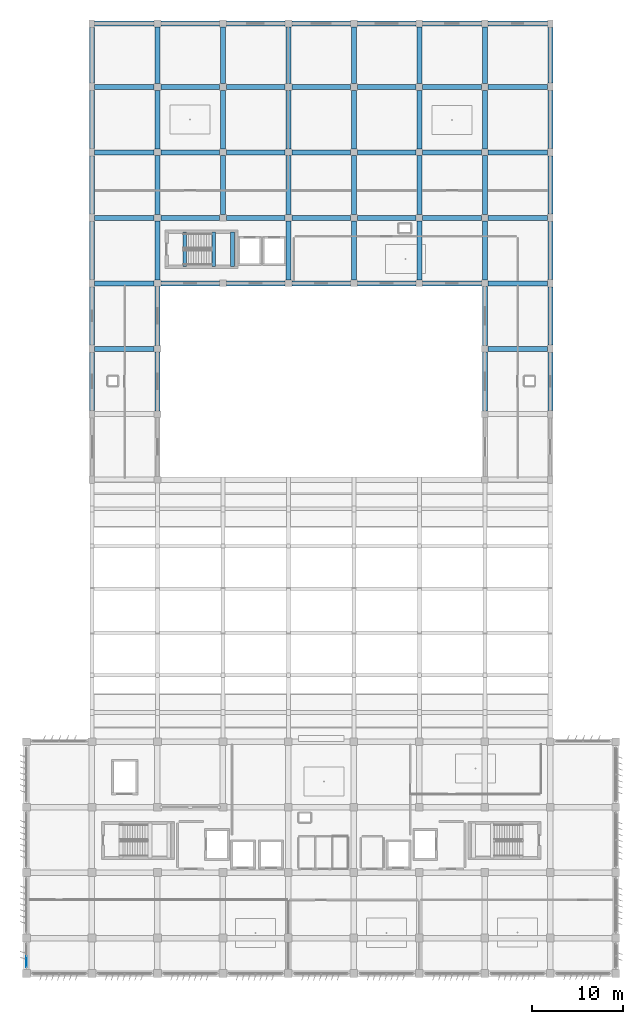
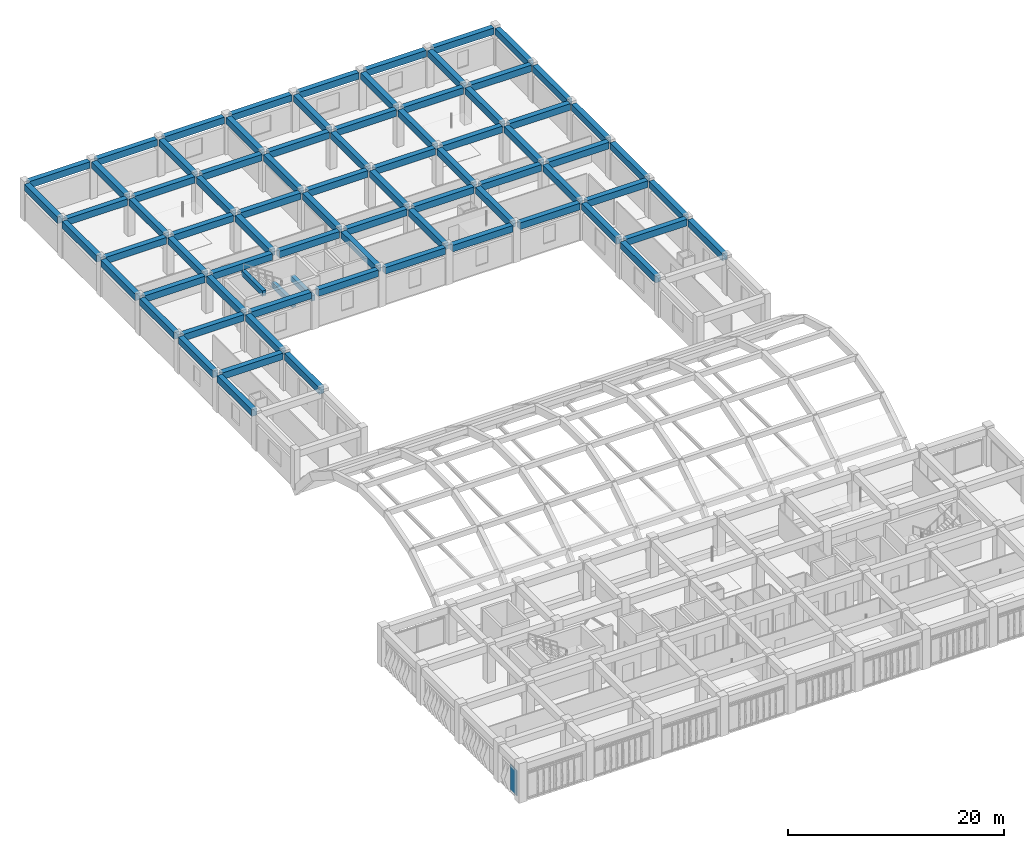
# One storey, part 24 of 48: 79 beams, 1 plate, 1 element without a shape of its own.
"""IFC4 building model written with IfcOpenShell, lengths in metres."""

from ifc_helpers import new_model, si_unit, direction, frame, origin, origin_2d, place, context, subcontext, project, spatial, rectangle, extrude, material, layer, layer_set, material_profile, profile_set, type_object, element, aggregate, save


model = new_model("IFC4")

# Units and contexts
model_context = context("Model", 3, precision=1e-05, world=origin(), true_north=direction((0.0, 1.0)))
body_context = subcontext(model_context, "Body", "Model", "MODEL_VIEW")
ifc_project = project(units=[si_unit("LENGTHUNIT", "METRE"), si_unit("AREAUNIT", "SQUARE_METRE"), si_unit("VOLUMEUNIT", "CUBIC_METRE"), si_unit("PLANEANGLEUNIT", "RADIAN"), si_unit("MASSUNIT", "GRAM", prefix="KILO")], contexts=[model_context])

# Site, building, storey
site_placement = place(None, origin())
site = spatial("IfcSite", under=ifc_project, at=site_placement, CompositionType="ELEMENT")
building_placement = place(site_placement, origin())
building = spatial("IfcBuilding", under=site, at=building_placement, Name="Kazehaya Institute of Natural Sciences", CompositionType="ELEMENT")
storey_placement = place(building_placement, frame((0.0, 0.0, 19.800048828125)))
storey = spatial("IfcBuildingStorey", under=building, at=storey_placement, Name="L04", CompositionType="ELEMENT", Elevation=19.800048828125)

# Beams
ifc_material_1 = material(Name="Concrete Fc36", Category="concrete")
ifc_material_profile_1 = material_profile(ifc_material_1, rectangle(XDim=0.39990234375, YDim=0.60009765625, at=origin_2d()), Name="RC-400x600")
ifc_profile_set_1 = profile_set([ifc_material_profile_1], Name="Concrete Fc36")
beam_type_1 = type_object("IfcBeamType", Name="BM-B-400x600", PredefinedType="BEAM", material=ifc_profile_set_1)
for number, where, z_axis, x_axis, name in (
    (1, (72.0, 87.820068359375, 4.199951171875), (0.0, 1.0, 0.0), (-1.0, 0.0, 0.0), "L05 ST-3 stair header trimmer beam"),
    (2, (75.18994140625, 87.820068359375, 1.7900390625), (0.0, 1.0, 0.0), (-1.0, 0.0, 0.0), "L04 ST-3 landing beam 1"),
    (3, (77.25, 87.820068359375, 1.7900390625), (0.0, 1.0, 0.0), (-1.0, 0.0, 0.0), "L04 ST-3 landing beam 2"),
):
    element("IfcBeam", number, at=place(storey_placement, frame(where, z_axis=z_axis, x_axis=x_axis)), inside=storey, type_object=beam_type_1, Name=name, PredefinedType="BEAM", context=body_context, shape_type="SweptSolid", body=[
        extrude(rectangle(XDim=0.39990234375, YDim=0.60009765625, at=origin_2d()), origin(), (0.0, 0.0, 1.0), 3.83984375),
    ])
ifc_material_profile_2 = material_profile(ifc_material_1, rectangle(XDim=0.550048828125, YDim=0.75, at=origin_2d()), Name="RC-550x750")
ifc_profile_set_2 = profile_set([ifc_material_profile_2], Name="Concrete Fc36")
beam_type_2 = type_object("IfcBeamType", Name="BM-G-550x750", PredefinedType="BEAM", material=ifc_profile_set_2)
for number, where, z_axis, x_axis, name in (
    (4, (62.10009765625, 78.800048828125, 3.85498046875), (1.0, 0.0, 0.0), (0.0, 1.0, 0.0), "L04 primary X girder BMX-L04-618-788"),
    (5, (105.375, 78.800048828125, 3.85498046875), (1.0, 0.0, 0.0), (0.0, 1.0, 0.0), "L04 primary X girder BMX-L04-1050-788"),
    (6, (62.10009765625, 86.0, 3.85498046875), (1.0, 0.0, 0.0), (0.0, 1.0, 0.0), "L04 primary X girder BMX-L04-618-860"),
):
    element("IfcBeam", number, at=place(storey_placement, frame(where, z_axis=z_axis, x_axis=x_axis)), inside=storey, type_object=beam_type_2, Name=name, PredefinedType="BEAM", context=body_context, shape_type="SweptSolid", body=[
        extrude(rectangle(XDim=0.550048828125, YDim=0.75, at=origin_2d()), origin(), (0.0, 0.0, 1.0), 6.52490234375),
    ])
for number, where, z_axis, x_axis, name in (
    (7, (69.375, 86.0, 3.85498046875), (1.0, 0.0, 0.0), (0.0, 1.0, 0.0), "L04 primary X girder BMX-L04-690-860"),
    (8, (76.574951171875, 86.0, 3.85498046875), (1.0, 0.0, 0.0), (0.0, 1.0, 0.0), "L04 primary X girder BMX-L04-762-860"),
):
    element("IfcBeam", number, at=place(storey_placement, frame(where, z_axis=z_axis, x_axis=x_axis)), inside=storey, type_object=beam_type_2, Name=name, PredefinedType="BEAM", context=body_context, shape_type="SweptSolid", body=[
        extrude(rectangle(XDim=0.550048828125, YDim=0.75, at=origin_2d()), origin(), (0.0, 0.0, 1.0), 6.449951171875),
    ])
beam_1_placement = place(storey_placement, frame((83.77490234375, 86.0, 3.85498046875), z_axis=(1.0, 0.0, 0.0), x_axis=(0.0, 1.0, 0.0)))
element("IfcBeam", 9, at=beam_1_placement, inside=storey, type_object=beam_type_2, Name="L04 primary X girder BMX-L04-834-860", PredefinedType="BEAM", context=body_context, shape_type="SweptSolid", body=[
    extrude(rectangle(XDim=0.550048828125, YDim=0.75, at=origin_2d()), origin(), (0.0, 0.0, 1.0), 6.4501953125),
])
for number, where, z_axis, x_axis, name in (
    (10, (90.97509765625, 86.0, 3.85498046875), (1.0, 0.0, 0.0), (0.0, 1.0, 0.0), "L04 primary X girder BMX-L04-906-860"),
    (11, (98.175048828125, 86.0, 3.85498046875), (1.0, 0.0, 0.0), (0.0, 1.0, 0.0), "L04 primary X girder BMX-L04-978-860"),
):
    element("IfcBeam", number, at=place(storey_placement, frame(where, z_axis=z_axis, x_axis=x_axis)), inside=storey, type_object=beam_type_2, Name=name, PredefinedType="BEAM", context=body_context, shape_type="SweptSolid", body=[
        extrude(rectangle(XDim=0.550048828125, YDim=0.75, at=origin_2d()), origin(), (0.0, 0.0, 1.0), 6.449951171875),
    ])
for number, where, z_axis, x_axis, name in (
    (12, (105.375, 86.0, 3.85498046875), (1.0, 0.0, 0.0), (0.0, 1.0, 0.0), "L04 primary X girder BMX-L04-1050-860"),
    (13, (62.10009765625, 93.199951171875, 3.85498046875), (1.0, 0.0, 0.0), (0.0, 1.0, 0.0), "L04 primary X girder BMX-L04-618-932"),
):
    element("IfcBeam", number, at=place(storey_placement, frame(where, z_axis=z_axis, x_axis=x_axis)), inside=storey, type_object=beam_type_2, Name=name, PredefinedType="BEAM", context=body_context, shape_type="SweptSolid", body=[
        extrude(rectangle(XDim=0.550048828125, YDim=0.75, at=origin_2d()), origin(), (0.0, 0.0, 1.0), 6.52490234375),
    ])
for number, where, z_axis, x_axis, name in (
    (14, (69.375, 93.199951171875, 3.85498046875), (1.0, 0.0, 0.0), (0.0, 1.0, 0.0), "L04 primary X girder BMX-L04-690-932"),
    (15, (76.574951171875, 93.199951171875, 3.85498046875), (1.0, 0.0, 0.0), (0.0, 1.0, 0.0), "L04 primary X girder BMX-L04-762-932"),
):
    element("IfcBeam", number, at=place(storey_placement, frame(where, z_axis=z_axis, x_axis=x_axis)), inside=storey, type_object=beam_type_2, Name=name, PredefinedType="BEAM", context=body_context, shape_type="SweptSolid", body=[
        extrude(rectangle(XDim=0.550048828125, YDim=0.75, at=origin_2d()), origin(), (0.0, 0.0, 1.0), 6.449951171875),
    ])
beam_2_placement = place(storey_placement, frame((83.77490234375, 93.199951171875, 3.85498046875), z_axis=(1.0, 0.0, 0.0), x_axis=(0.0, 1.0, 0.0)))
element("IfcBeam", 16, at=beam_2_placement, inside=storey, type_object=beam_type_2, Name="L04 primary X girder BMX-L04-834-932", PredefinedType="BEAM", context=body_context, shape_type="SweptSolid", body=[
    extrude(rectangle(XDim=0.550048828125, YDim=0.75, at=origin_2d()), origin(), (0.0, 0.0, 1.0), 6.4501953125),
])
for number, where, z_axis, x_axis, name in (
    (17, (90.97509765625, 93.199951171875, 3.85498046875), (1.0, 0.0, 0.0), (0.0, 1.0, 0.0), "L04 primary X girder BMX-L04-906-932"),
    (18, (98.175048828125, 93.199951171875, 3.85498046875), (1.0, 0.0, 0.0), (0.0, 1.0, 0.0), "L04 primary X girder BMX-L04-978-932"),
):
    element("IfcBeam", number, at=place(storey_placement, frame(where, z_axis=z_axis, x_axis=x_axis)), inside=storey, type_object=beam_type_2, Name=name, PredefinedType="BEAM", context=body_context, shape_type="SweptSolid", body=[
        extrude(rectangle(XDim=0.550048828125, YDim=0.75, at=origin_2d()), origin(), (0.0, 0.0, 1.0), 6.449951171875),
    ])
for number, where, z_axis, x_axis, name in (
    (19, (105.375, 93.199951171875, 3.85498046875), (1.0, 0.0, 0.0), (0.0, 1.0, 0.0), "L04 primary X girder BMX-L04-1050-932"),
    (20, (62.10009765625, 100.39990234375, 3.85498046875), (1.0, 0.0, 0.0), (0.0, 1.0, 0.0), "L04 primary X girder BMX-L04-618-1004"),
):
    element("IfcBeam", number, at=place(storey_placement, frame(where, z_axis=z_axis, x_axis=x_axis)), inside=storey, type_object=beam_type_2, Name=name, PredefinedType="BEAM", context=body_context, shape_type="SweptSolid", body=[
        extrude(rectangle(XDim=0.550048828125, YDim=0.75, at=origin_2d()), origin(), (0.0, 0.0, 1.0), 6.52490234375),
    ])
for number, where, z_axis, x_axis, name in (
    (21, (69.375, 100.39990234375, 3.85498046875), (1.0, 0.0, 0.0), (0.0, 1.0, 0.0), "L04 primary X girder BMX-L04-690-1004"),
    (22, (76.574951171875, 100.39990234375, 3.85498046875), (1.0, 0.0, 0.0), (0.0, 1.0, 0.0), "L04 primary X girder BMX-L04-762-1004"),
):
    element("IfcBeam", number, at=place(storey_placement, frame(where, z_axis=z_axis, x_axis=x_axis)), inside=storey, type_object=beam_type_2, Name=name, PredefinedType="BEAM", context=body_context, shape_type="SweptSolid", body=[
        extrude(rectangle(XDim=0.550048828125, YDim=0.75, at=origin_2d()), origin(), (0.0, 0.0, 1.0), 6.449951171875),
    ])
beam_3_placement = place(storey_placement, frame((83.77490234375, 100.39990234375, 3.85498046875), z_axis=(1.0, 0.0, 0.0), x_axis=(0.0, 1.0, 0.0)))
element("IfcBeam", 23, at=beam_3_placement, inside=storey, type_object=beam_type_2, Name="L04 primary X girder BMX-L04-834-1004", PredefinedType="BEAM", context=body_context, shape_type="SweptSolid", body=[
    extrude(rectangle(XDim=0.550048828125, YDim=0.75, at=origin_2d()), origin(), (0.0, 0.0, 1.0), 6.4501953125),
])
for number, where, z_axis, x_axis, name in (
    (24, (90.97509765625, 100.39990234375, 3.85498046875), (1.0, 0.0, 0.0), (0.0, 1.0, 0.0), "L04 primary X girder BMX-L04-906-1004"),
    (25, (98.175048828125, 100.39990234375, 3.85498046875), (1.0, 0.0, 0.0), (0.0, 1.0, 0.0), "L04 primary X girder BMX-L04-978-1004"),
):
    element("IfcBeam", number, at=place(storey_placement, frame(where, z_axis=z_axis, x_axis=x_axis)), inside=storey, type_object=beam_type_2, Name=name, PredefinedType="BEAM", context=body_context, shape_type="SweptSolid", body=[
        extrude(rectangle(XDim=0.550048828125, YDim=0.75, at=origin_2d()), origin(), (0.0, 0.0, 1.0), 6.449951171875),
    ])
for number, where, z_axis, x_axis, name in (
    (26, (105.375, 100.39990234375, 3.85498046875), (1.0, 0.0, 0.0), (0.0, 1.0, 0.0), "L04 primary X girder BMX-L04-1050-1004"),
    (27, (62.10009765625, 107.60009765625, 3.85498046875), (1.0, 0.0, 0.0), (0.0, 1.0, 0.0), "L04 primary X girder BMX-L04-618-1076"),
):
    element("IfcBeam", number, at=place(storey_placement, frame(where, z_axis=z_axis, x_axis=x_axis)), inside=storey, type_object=beam_type_2, Name=name, PredefinedType="BEAM", context=body_context, shape_type="SweptSolid", body=[
        extrude(rectangle(XDim=0.550048828125, YDim=0.75, at=origin_2d()), origin(), (0.0, 0.0, 1.0), 6.52490234375),
    ])
for number, where, z_axis, x_axis, name in (
    (28, (69.375, 107.60009765625, 3.85498046875), (1.0, 0.0, 0.0), (0.0, 1.0, 0.0), "L04 primary X girder BMX-L04-690-1076"),
    (29, (76.574951171875, 107.60009765625, 3.85498046875), (1.0, 0.0, 0.0), (0.0, 1.0, 0.0), "L04 primary X girder BMX-L04-762-1076"),
):
    element("IfcBeam", number, at=place(storey_placement, frame(where, z_axis=z_axis, x_axis=x_axis)), inside=storey, type_object=beam_type_2, Name=name, PredefinedType="BEAM", context=body_context, shape_type="SweptSolid", body=[
        extrude(rectangle(XDim=0.550048828125, YDim=0.75, at=origin_2d()), origin(), (0.0, 0.0, 1.0), 6.449951171875),
    ])
beam_4_placement = place(storey_placement, frame((83.77490234375, 107.60009765625, 3.85498046875), z_axis=(1.0, 0.0, 0.0), x_axis=(0.0, 1.0, 0.0)))
element("IfcBeam", 30, at=beam_4_placement, inside=storey, type_object=beam_type_2, Name="L04 primary X girder BMX-L04-834-1076", PredefinedType="BEAM", context=body_context, shape_type="SweptSolid", body=[
    extrude(rectangle(XDim=0.550048828125, YDim=0.75, at=origin_2d()), origin(), (0.0, 0.0, 1.0), 6.4501953125),
])
for number, where, z_axis, x_axis, name in (
    (31, (90.97509765625, 107.60009765625, 3.85498046875), (1.0, 0.0, 0.0), (0.0, 1.0, 0.0), "L04 primary X girder BMX-L04-906-1076"),
    (32, (98.175048828125, 107.60009765625, 3.85498046875), (1.0, 0.0, 0.0), (0.0, 1.0, 0.0), "L04 primary X girder BMX-L04-978-1076"),
):
    element("IfcBeam", number, at=place(storey_placement, frame(where, z_axis=z_axis, x_axis=x_axis)), inside=storey, type_object=beam_type_2, Name=name, PredefinedType="BEAM", context=body_context, shape_type="SweptSolid", body=[
        extrude(rectangle(XDim=0.550048828125, YDim=0.75, at=origin_2d()), origin(), (0.0, 0.0, 1.0), 6.449951171875),
    ])
for number, where, z_axis, x_axis, name in (
    (33, (105.375, 107.60009765625, 3.85498046875), (1.0, 0.0, 0.0), (0.0, 1.0, 0.0), "L04 primary X girder BMX-L04-1050-1076"),
    (34, (62.10009765625, 114.550048828125, 3.85498046875), (1.0, 0.0, 0.0), (0.0, 1.0, 0.0), "L04 primary X girder BMX-L04-618-1146"),
):
    element("IfcBeam", number, at=place(storey_placement, frame(where, z_axis=z_axis, x_axis=x_axis)), inside=storey, type_object=beam_type_2, Name=name, PredefinedType="BEAM", context=body_context, shape_type="SweptSolid", body=[
        extrude(rectangle(XDim=0.550048828125, YDim=0.75, at=origin_2d()), origin(), (0.0, 0.0, 1.0), 6.52490234375),
    ])
for number, where, z_axis, x_axis, name in (
    (35, (69.375, 114.550048828125, 3.85498046875), (1.0, 0.0, 0.0), (0.0, 1.0, 0.0), "L04 primary X girder BMX-L04-690-1146"),
    (36, (76.574951171875, 114.550048828125, 3.85498046875), (1.0, 0.0, 0.0), (0.0, 1.0, 0.0), "L04 primary X girder BMX-L04-762-1146"),
):
    element("IfcBeam", number, at=place(storey_placement, frame(where, z_axis=z_axis, x_axis=x_axis)), inside=storey, type_object=beam_type_2, Name=name, PredefinedType="BEAM", context=body_context, shape_type="SweptSolid", body=[
        extrude(rectangle(XDim=0.550048828125, YDim=0.75, at=origin_2d()), origin(), (0.0, 0.0, 1.0), 6.449951171875),
    ])
beam_5_placement = place(storey_placement, frame((83.77490234375, 114.550048828125, 3.85498046875), z_axis=(1.0, 0.0, 0.0), x_axis=(0.0, 1.0, 0.0)))
element("IfcBeam", 37, at=beam_5_placement, inside=storey, type_object=beam_type_2, Name="L04 primary X girder BMX-L04-834-1146", PredefinedType="BEAM", context=body_context, shape_type="SweptSolid", body=[
    extrude(rectangle(XDim=0.550048828125, YDim=0.75, at=origin_2d()), origin(), (0.0, 0.0, 1.0), 6.4501953125),
])
for number, where, z_axis, x_axis, name in (
    (38, (90.97509765625, 114.550048828125, 3.85498046875), (1.0, 0.0, 0.0), (0.0, 1.0, 0.0), "L04 primary X girder BMX-L04-906-1146"),
    (39, (98.175048828125, 114.550048828125, 3.85498046875), (1.0, 0.0, 0.0), (0.0, 1.0, 0.0), "L04 primary X girder BMX-L04-978-1146"),
):
    element("IfcBeam", number, at=place(storey_placement, frame(where, z_axis=z_axis, x_axis=x_axis)), inside=storey, type_object=beam_type_2, Name=name, PredefinedType="BEAM", context=body_context, shape_type="SweptSolid", body=[
        extrude(rectangle(XDim=0.550048828125, YDim=0.75, at=origin_2d()), origin(), (0.0, 0.0, 1.0), 6.449951171875),
    ])
beam_6_placement = place(storey_placement, frame((105.375, 114.550048828125, 3.85498046875), z_axis=(1.0, 0.0, 0.0), x_axis=(0.0, 1.0, 0.0)))
element("IfcBeam", 40, at=beam_6_placement, inside=storey, type_object=beam_type_2, Name="L04 primary X girder BMX-L04-1050-1146", PredefinedType="BEAM", context=body_context, shape_type="SweptSolid", body=[
    extrude(rectangle(XDim=0.550048828125, YDim=0.75, at=origin_2d()), origin(), (0.0, 0.0, 1.0), 6.52490234375),
])
beam_7_placement = place(storey_placement, frame((61.800048828125, 72.0, 3.85498046875), z_axis=(0.0, 1.0, 0.0), x_axis=(-1.0, 0.0, 0.0)))
element("IfcBeam", 41, at=beam_7_placement, inside=storey, type_object=beam_type_2, Name="L04 primary Y girder BMY-L04-618-716", PredefinedType="BEAM", context=body_context, shape_type="SweptSolid", body=[
    extrude(rectangle(XDim=0.550048828125, YDim=0.75, at=origin_2d()), origin(), (0.0, 0.0, 1.0), 6.39990234375),
])
for number, where, z_axis, x_axis, name in (
    (42, (61.800048828125, 79.199951171875, 3.85498046875), (0.0, 1.0, 0.0), (-1.0, 0.0, 0.0), "L04 primary Y girder BMY-L04-618-788"),
    (43, (61.800048828125, 86.39990234375, 3.85498046875), (0.0, 1.0, 0.0), (-1.0, 0.0, 0.0), "L04 primary Y girder BMY-L04-618-860"),
):
    element("IfcBeam", number, at=place(storey_placement, frame(where, z_axis=z_axis, x_axis=x_axis)), inside=storey, type_object=beam_type_2, Name=name, PredefinedType="BEAM", context=body_context, shape_type="SweptSolid", body=[
        extrude(rectangle(XDim=0.550048828125, YDim=0.75, at=origin_2d()), origin(), (0.0, 0.0, 1.0), 6.400146484375),
    ])
for number, where, z_axis, x_axis, name in (
    (44, (61.800048828125, 93.60009765625, 3.85498046875), (0.0, 1.0, 0.0), (-1.0, 0.0, 0.0), "L04 primary Y girder BMY-L04-618-932"),
    (45, (61.800048828125, 100.800048828125, 3.85498046875), (0.0, 1.0, 0.0), (-1.0, 0.0, 0.0), "L04 primary Y girder BMY-L04-618-1004"),
):
    element("IfcBeam", number, at=place(storey_placement, frame(where, z_axis=z_axis, x_axis=x_axis)), inside=storey, type_object=beam_type_2, Name=name, PredefinedType="BEAM", context=body_context, shape_type="SweptSolid", body=[
        extrude(rectangle(XDim=0.550048828125, YDim=0.75, at=origin_2d()), origin(), (0.0, 0.0, 1.0), 6.39990234375),
    ])
beam_8_placement = place(storey_placement, frame((61.800048828125, 108.0, 3.85498046875), z_axis=(0.0, 1.0, 0.0), x_axis=(-1.0, 0.0, 0.0)))
element("IfcBeam", 46, at=beam_8_placement, inside=storey, type_object=beam_type_2, Name="L04 primary Y girder BMY-L04-618-1076", PredefinedType="BEAM", context=body_context, shape_type="SweptSolid", body=[
    extrude(rectangle(XDim=0.550048828125, YDim=0.75, at=origin_2d()), origin(), (0.0, 0.0, 1.0), 6.14990234375),
])
for number, where, z_axis, x_axis, name in (
    (47, (69.0, 71.97509765625, 3.85498046875), (0.0, 1.0, 0.0), (-1.0, 0.0, 0.0), "L04 primary Y girder BMY-L04-690-716"),
    (48, (69.0, 79.175048828125, 3.85498046875), (0.0, 1.0, 0.0), (-1.0, 0.0, 0.0), "L04 primary Y girder BMY-L04-690-788"),
    (49, (69.0, 86.375, 3.85498046875), (0.0, 1.0, 0.0), (-1.0, 0.0, 0.0), "L04 primary Y girder BMY-L04-690-860"),
    (50, (69.0, 93.574951171875, 3.85498046875), (0.0, 1.0, 0.0), (-1.0, 0.0, 0.0), "L04 primary Y girder BMY-L04-690-932"),
):
    element("IfcBeam", number, at=place(storey_placement, frame(where, z_axis=z_axis, x_axis=x_axis)), inside=storey, type_object=beam_type_2, Name=name, PredefinedType="BEAM", context=body_context, shape_type="SweptSolid", body=[
        extrude(rectangle(XDim=0.550048828125, YDim=0.75, at=origin_2d()), origin(), (0.0, 0.0, 1.0), 6.449951171875),
    ])
beam_9_placement = place(storey_placement, frame((69.0, 100.77490234375, 3.85498046875), z_axis=(0.0, 1.0, 0.0), x_axis=(-1.0, 0.0, 0.0)))
element("IfcBeam", 51, at=beam_9_placement, inside=storey, type_object=beam_type_2, Name="L04 primary Y girder BMY-L04-690-1004", PredefinedType="BEAM", context=body_context, shape_type="SweptSolid", body=[
    extrude(rectangle(XDim=0.550048828125, YDim=0.75, at=origin_2d()), origin(), (0.0, 0.0, 1.0), 6.4501953125),
])
beam_10_placement = place(storey_placement, frame((69.0, 107.97509765625, 3.85498046875), z_axis=(0.0, 1.0, 0.0), x_axis=(-1.0, 0.0, 0.0)))
element("IfcBeam", 52, at=beam_10_placement, inside=storey, type_object=beam_type_2, Name="L04 primary Y girder BMY-L04-690-1076", PredefinedType="BEAM", context=body_context, shape_type="SweptSolid", body=[
    extrude(rectangle(XDim=0.550048828125, YDim=0.75, at=origin_2d()), origin(), (0.0, 0.0, 1.0), 6.199951171875),
])
beam_11_placement = place(storey_placement, frame((76.199951171875, 93.574951171875, 3.85498046875), z_axis=(0.0, 1.0, 0.0), x_axis=(-1.0, 0.0, 0.0)))
element("IfcBeam", 53, at=beam_11_placement, inside=storey, type_object=beam_type_2, Name="L04 primary Y girder BMY-L04-762-932", PredefinedType="BEAM", context=body_context, shape_type="SweptSolid", body=[
    extrude(rectangle(XDim=0.550048828125, YDim=0.75, at=origin_2d()), origin(), (0.0, 0.0, 1.0), 6.449951171875),
])
beam_12_placement = place(storey_placement, frame((76.199951171875, 100.77490234375, 3.85498046875), z_axis=(0.0, 1.0, 0.0), x_axis=(-1.0, 0.0, 0.0)))
element("IfcBeam", 54, at=beam_12_placement, inside=storey, type_object=beam_type_2, Name="L04 primary Y girder BMY-L04-762-1004", PredefinedType="BEAM", context=body_context, shape_type="SweptSolid", body=[
    extrude(rectangle(XDim=0.550048828125, YDim=0.75, at=origin_2d()), origin(), (0.0, 0.0, 1.0), 6.4501953125),
])
beam_13_placement = place(storey_placement, frame((76.199951171875, 107.97509765625, 3.85498046875), z_axis=(0.0, 1.0, 0.0), x_axis=(-1.0, 0.0, 0.0)))
element("IfcBeam", 55, at=beam_13_placement, inside=storey, type_object=beam_type_2, Name="L04 primary Y girder BMY-L04-762-1076", PredefinedType="BEAM", context=body_context, shape_type="SweptSolid", body=[
    extrude(rectangle(XDim=0.550048828125, YDim=0.75, at=origin_2d()), origin(), (0.0, 0.0, 1.0), 6.199951171875),
])
for number, where, z_axis, x_axis, name in (
    (56, (83.39990234375, 86.375, 3.85498046875), (0.0, 1.0, 0.0), (-1.0, 0.0, 0.0), "L04 primary Y girder BMY-L04-834-860"),
    (57, (83.39990234375, 93.574951171875, 3.85498046875), (0.0, 1.0, 0.0), (-1.0, 0.0, 0.0), "L04 primary Y girder BMY-L04-834-932"),
):
    element("IfcBeam", number, at=place(storey_placement, frame(where, z_axis=z_axis, x_axis=x_axis)), inside=storey, type_object=beam_type_2, Name=name, PredefinedType="BEAM", context=body_context, shape_type="SweptSolid", body=[
        extrude(rectangle(XDim=0.550048828125, YDim=0.75, at=origin_2d()), origin(), (0.0, 0.0, 1.0), 6.449951171875),
    ])
beam_14_placement = place(storey_placement, frame((83.39990234375, 100.77490234375, 3.85498046875), z_axis=(0.0, 1.0, 0.0), x_axis=(-1.0, 0.0, 0.0)))
element("IfcBeam", 58, at=beam_14_placement, inside=storey, type_object=beam_type_2, Name="L04 primary Y girder BMY-L04-834-1004", PredefinedType="BEAM", context=body_context, shape_type="SweptSolid", body=[
    extrude(rectangle(XDim=0.550048828125, YDim=0.75, at=origin_2d()), origin(), (0.0, 0.0, 1.0), 6.4501953125),
])
beam_15_placement = place(storey_placement, frame((83.39990234375, 107.97509765625, 3.85498046875), z_axis=(0.0, 1.0, 0.0), x_axis=(-1.0, 0.0, 0.0)))
element("IfcBeam", 59, at=beam_15_placement, inside=storey, type_object=beam_type_2, Name="L04 primary Y girder BMY-L04-834-1076", PredefinedType="BEAM", context=body_context, shape_type="SweptSolid", body=[
    extrude(rectangle(XDim=0.550048828125, YDim=0.75, at=origin_2d()), origin(), (0.0, 0.0, 1.0), 6.199951171875),
])
for number, where, z_axis, x_axis, name in (
    (60, (90.60009765625, 86.375, 3.85498046875), (0.0, 1.0, 0.0), (-1.0, 0.0, 0.0), "L04 primary Y girder BMY-L04-906-860"),
    (61, (90.60009765625, 93.574951171875, 3.85498046875), (0.0, 1.0, 0.0), (-1.0, 0.0, 0.0), "L04 primary Y girder BMY-L04-906-932"),
):
    element("IfcBeam", number, at=place(storey_placement, frame(where, z_axis=z_axis, x_axis=x_axis)), inside=storey, type_object=beam_type_2, Name=name, PredefinedType="BEAM", context=body_context, shape_type="SweptSolid", body=[
        extrude(rectangle(XDim=0.550048828125, YDim=0.75, at=origin_2d()), origin(), (0.0, 0.0, 1.0), 6.449951171875),
    ])
beam_16_placement = place(storey_placement, frame((90.60009765625, 100.77490234375, 3.85498046875), z_axis=(0.0, 1.0, 0.0), x_axis=(-1.0, 0.0, 0.0)))
element("IfcBeam", 62, at=beam_16_placement, inside=storey, type_object=beam_type_2, Name="L04 primary Y girder BMY-L04-906-1004", PredefinedType="BEAM", context=body_context, shape_type="SweptSolid", body=[
    extrude(rectangle(XDim=0.550048828125, YDim=0.75, at=origin_2d()), origin(), (0.0, 0.0, 1.0), 6.4501953125),
])
beam_17_placement = place(storey_placement, frame((90.60009765625, 107.97509765625, 3.85498046875), z_axis=(0.0, 1.0, 0.0), x_axis=(-1.0, 0.0, 0.0)))
element("IfcBeam", 63, at=beam_17_placement, inside=storey, type_object=beam_type_2, Name="L04 primary Y girder BMY-L04-906-1076", PredefinedType="BEAM", context=body_context, shape_type="SweptSolid", body=[
    extrude(rectangle(XDim=0.550048828125, YDim=0.75, at=origin_2d()), origin(), (0.0, 0.0, 1.0), 6.199951171875),
])
for number, where, z_axis, x_axis, name in (
    (64, (97.800048828125, 86.375, 3.85498046875), (0.0, 1.0, 0.0), (-1.0, 0.0, 0.0), "L04 primary Y girder BMY-L04-978-860"),
    (65, (97.800048828125, 93.574951171875, 3.85498046875), (0.0, 1.0, 0.0), (-1.0, 0.0, 0.0), "L04 primary Y girder BMY-L04-978-932"),
):
    element("IfcBeam", number, at=place(storey_placement, frame(where, z_axis=z_axis, x_axis=x_axis)), inside=storey, type_object=beam_type_2, Name=name, PredefinedType="BEAM", context=body_context, shape_type="SweptSolid", body=[
        extrude(rectangle(XDim=0.550048828125, YDim=0.75, at=origin_2d()), origin(), (0.0, 0.0, 1.0), 6.449951171875),
    ])
beam_18_placement = place(storey_placement, frame((97.800048828125, 100.77490234375, 3.85498046875), z_axis=(0.0, 1.0, 0.0), x_axis=(-1.0, 0.0, 0.0)))
element("IfcBeam", 66, at=beam_18_placement, inside=storey, type_object=beam_type_2, Name="L04 primary Y girder BMY-L04-978-1004", PredefinedType="BEAM", context=body_context, shape_type="SweptSolid", body=[
    extrude(rectangle(XDim=0.550048828125, YDim=0.75, at=origin_2d()), origin(), (0.0, 0.0, 1.0), 6.4501953125),
])
beam_19_placement = place(storey_placement, frame((97.800048828125, 107.97509765625, 3.85498046875), z_axis=(0.0, 1.0, 0.0), x_axis=(-1.0, 0.0, 0.0)))
element("IfcBeam", 67, at=beam_19_placement, inside=storey, type_object=beam_type_2, Name="L04 primary Y girder BMY-L04-978-1076", PredefinedType="BEAM", context=body_context, shape_type="SweptSolid", body=[
    extrude(rectangle(XDim=0.550048828125, YDim=0.75, at=origin_2d()), origin(), (0.0, 0.0, 1.0), 6.199951171875),
])
for number, where, z_axis, x_axis, name in (
    (68, (105.0, 71.97509765625, 3.85498046875), (0.0, 1.0, 0.0), (-1.0, 0.0, 0.0), "L04 primary Y girder BMY-L04-1050-716"),
    (69, (105.0, 79.175048828125, 3.85498046875), (0.0, 1.0, 0.0), (-1.0, 0.0, 0.0), "L04 primary Y girder BMY-L04-1050-788"),
    (70, (105.0, 86.375, 3.85498046875), (0.0, 1.0, 0.0), (-1.0, 0.0, 0.0), "L04 primary Y girder BMY-L04-1050-860"),
    (71, (105.0, 93.574951171875, 3.85498046875), (0.0, 1.0, 0.0), (-1.0, 0.0, 0.0), "L04 primary Y girder BMY-L04-1050-932"),
):
    element("IfcBeam", number, at=place(storey_placement, frame(where, z_axis=z_axis, x_axis=x_axis)), inside=storey, type_object=beam_type_2, Name=name, PredefinedType="BEAM", context=body_context, shape_type="SweptSolid", body=[
        extrude(rectangle(XDim=0.550048828125, YDim=0.75, at=origin_2d()), origin(), (0.0, 0.0, 1.0), 6.449951171875),
    ])
beam_20_placement = place(storey_placement, frame((105.0, 100.77490234375, 3.85498046875), z_axis=(0.0, 1.0, 0.0), x_axis=(-1.0, 0.0, 0.0)))
element("IfcBeam", 72, at=beam_20_placement, inside=storey, type_object=beam_type_2, Name="L04 primary Y girder BMY-L04-1050-1004", PredefinedType="BEAM", context=body_context, shape_type="SweptSolid", body=[
    extrude(rectangle(XDim=0.550048828125, YDim=0.75, at=origin_2d()), origin(), (0.0, 0.0, 1.0), 6.4501953125),
])
beam_21_placement = place(storey_placement, frame((105.0, 107.97509765625, 3.85498046875), z_axis=(0.0, 1.0, 0.0), x_axis=(-1.0, 0.0, 0.0)))
element("IfcBeam", 73, at=beam_21_placement, inside=storey, type_object=beam_type_2, Name="L04 primary Y girder BMY-L04-1050-1076", PredefinedType="BEAM", context=body_context, shape_type="SweptSolid", body=[
    extrude(rectangle(XDim=0.550048828125, YDim=0.75, at=origin_2d()), origin(), (0.0, 0.0, 1.0), 6.199951171875),
])
beam_22_placement = place(storey_placement, frame((112.199951171875, 72.0, 3.85498046875), z_axis=(0.0, 1.0, 0.0), x_axis=(-1.0, 0.0, 0.0)))
element("IfcBeam", 74, at=beam_22_placement, inside=storey, type_object=beam_type_2, Name="L04 primary Y girder BMY-L04-1122-716", PredefinedType="BEAM", context=body_context, shape_type="SweptSolid", body=[
    extrude(rectangle(XDim=0.550048828125, YDim=0.75, at=origin_2d()), origin(), (0.0, 0.0, 1.0), 6.39990234375),
])
for number, where, z_axis, x_axis, name in (
    (75, (112.199951171875, 79.199951171875, 3.85498046875), (0.0, 1.0, 0.0), (-1.0, 0.0, 0.0), "L04 primary Y girder BMY-L04-1122-788"),
    (76, (112.199951171875, 86.39990234375, 3.85498046875), (0.0, 1.0, 0.0), (-1.0, 0.0, 0.0), "L04 primary Y girder BMY-L04-1122-860"),
):
    element("IfcBeam", number, at=place(storey_placement, frame(where, z_axis=z_axis, x_axis=x_axis)), inside=storey, type_object=beam_type_2, Name=name, PredefinedType="BEAM", context=body_context, shape_type="SweptSolid", body=[
        extrude(rectangle(XDim=0.550048828125, YDim=0.75, at=origin_2d()), origin(), (0.0, 0.0, 1.0), 6.400146484375),
    ])
for number, where, z_axis, x_axis, name in (
    (77, (112.199951171875, 93.60009765625, 3.85498046875), (0.0, 1.0, 0.0), (-1.0, 0.0, 0.0), "L04 primary Y girder BMY-L04-1122-932"),
    (78, (112.199951171875, 100.800048828125, 3.85498046875), (0.0, 1.0, 0.0), (-1.0, 0.0, 0.0), "L04 primary Y girder BMY-L04-1122-1004"),
):
    element("IfcBeam", number, at=place(storey_placement, frame(where, z_axis=z_axis, x_axis=x_axis)), inside=storey, type_object=beam_type_2, Name=name, PredefinedType="BEAM", context=body_context, shape_type="SweptSolid", body=[
        extrude(rectangle(XDim=0.550048828125, YDim=0.75, at=origin_2d()), origin(), (0.0, 0.0, 1.0), 6.39990234375),
    ])
beam_23_placement = place(storey_placement, frame((112.199951171875, 108.0, 3.85498046875), z_axis=(0.0, 1.0, 0.0), x_axis=(-1.0, 0.0, 0.0)))
element("IfcBeam", 79, at=beam_23_placement, inside=storey, type_object=beam_type_2, Name="L04 primary Y girder BMY-L04-1122-1076", PredefinedType="BEAM", context=body_context, shape_type="SweptSolid", body=[
    extrude(rectangle(XDim=0.550048828125, YDim=0.75, at=origin_2d()), origin(), (0.0, 0.0, 1.0), 6.14990234375),
])

# Curtain wall, plate
ifc_material_2 = material(Name="Aluminium alloy A6063S-T5", Category="aluminium")
curtain_wall_type = type_object("IfcCurtainWallType", Name="CW-SYS-08", PredefinedType="NOTDEFINED", material=ifc_material_2)
curtain_wall_placement = place(storey_placement, origin())
curtain_wall = element("IfcCurtainWall", 80, at=curtain_wall_placement, inside=storey, type_object=curtain_wall_type, Name="L04 unitised curtain wall CW-L04-086", PredefinedType="NOTDEFINED")
ifc_material_3 = material(Name="Insulated bronze aluminium spandrel panel", Category="aluminium")
ifc_layer = layer(ifc_material_3, 0.070068359375, Name="Insulated bronze aluminium spandrel panel", Category="aluminium")
ifc_layer_set = layer_set([ifc_layer], Name="Insulated bronze aluminium spandrel panel")
plate_type = type_object("IfcPlateType", Name="CWP-05", PredefinedType="CURTAIN_PANEL", material=ifc_layer_set)
plate_placement = place(storey_placement, frame((54.60009765625, 11.409912109375, 0.06005859375), z_axis=(0.0, 0.0, 1.0), x_axis=(0.0, 1.0, 0.0)))
plate = element("IfcPlate", 81, at=plate_placement, type_object=plate_type, Name="CW08 panel 1.1", PredefinedType="CURTAIN_PANEL", context=body_context, shape_type="SweptSolid", body=[
    extrude(rectangle(XDim=1.219970703125, YDim=0.070068359375, at=origin_2d()), origin(), (0.0, 0.0, 1.0), 2.8798828125),
])
aggregate(curtain_wall, [plate])

save(model, "model.ifc")
